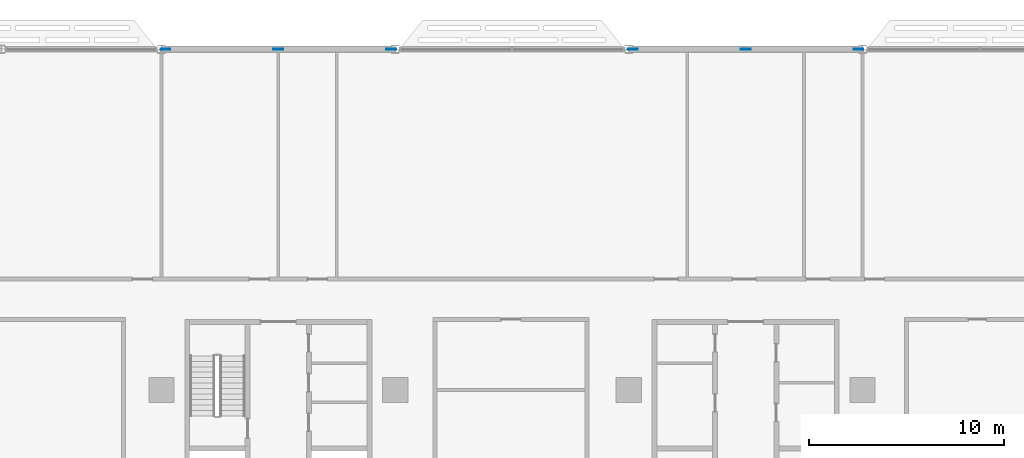
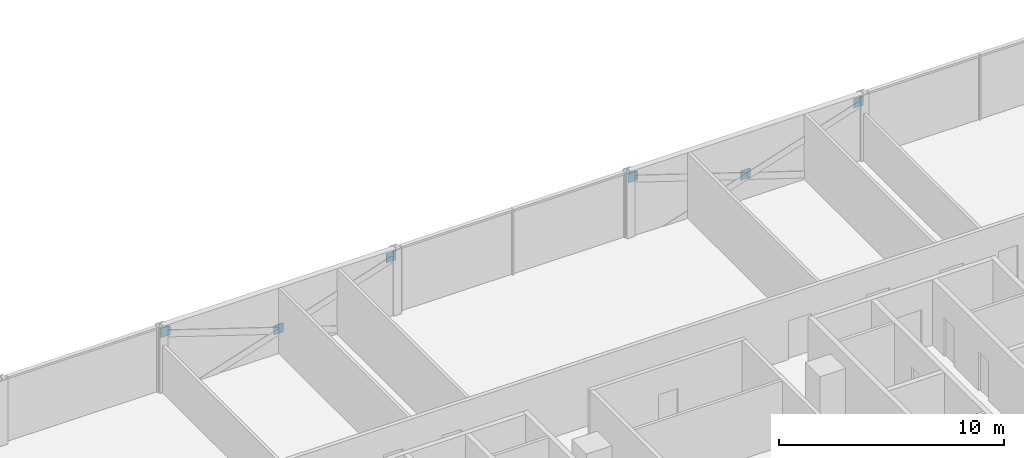
# One storey, part 22 of 29: 6 discrete accessories.
"""IFC4 building model written with IfcOpenShell, lengths in metres."""

from ifc_helpers import new_model, si_unit, direction, frame, origin, origin_2d, place, context, subcontext, project, spatial, rectangle, extrude, material, layer, layer_set, type_object, element, save


model = new_model("IFC4")

# Units and contexts
model_context = context("Model", 3, precision=1e-05, world=origin(), true_north=direction((0.0, 1.0)))
body_context = subcontext(model_context, "Body", "Model", "MODEL_VIEW")
ifc_project = project(units=[si_unit("LENGTHUNIT", "METRE"), si_unit("AREAUNIT", "SQUARE_METRE"), si_unit("VOLUMEUNIT", "CUBIC_METRE"), si_unit("PLANEANGLEUNIT", "RADIAN"), si_unit("MASSUNIT", "GRAM", prefix="KILO")], contexts=[model_context])

# Site, building, storey
site_placement = place(None, origin())
site = spatial("IfcSite", under=ifc_project, at=site_placement, CompositionType="ELEMENT")
building_placement = place(site_placement, origin())
building = spatial("IfcBuilding", under=site, at=building_placement, Name="Mahtab Terrace Research Tower", CompositionType="ELEMENT")
storey_placement = place(building_placement, frame((0.0, 0.0, 150.699951171875)))
storey = spatial("IfcBuildingStorey", under=building, at=storey_placement, Name="L35", CompositionType="ELEMENT", Elevation=150.699951171875)

# Discrete accessories
ifc_material = material(Name="Steel ASTM A992 Gr 50", Category="steel")
ifc_layer = layer(ifc_material, 0.030029296875)
ifc_layer_set = layer_set([ifc_layer], Name="Gusset plate 500x500x30")
discrete_accessory_type = type_object("IfcDiscreteAccessoryType", Name="Gusset plate 500x500x30", PredefinedType="USERDEFINED", material=ifc_layer_set)
for number, where, z_axis, x_axis, name in (
    (1, (-29.794189453125, 29.0, 2.85498046875), (0.0, 0.0, 1.0), (1.0, 0.0, 0.0), "Gusset plate"),
    (2, (-24.0, 29.0, 0.9765625), (0.0, 0.0, 1.0), (1.0, 0.0, 0.0), "Gusset plate"),
    (3, (-18.205810546875, 29.0, 2.85498046875), (0.0, 0.0, 1.0), (1.0, 0.0, 0.0), "Gusset plate"),
    (4, (-5.794189453125, 29.0, 2.85498046875), (0.0, 0.0, 1.0), (1.0, 0.0, 0.0), "Gusset plate"),
    (5, (0.0, 29.0, 0.9765625), (0.0, 0.0, 1.0), (1.0, 0.0, 0.0), "Gusset plate"),
    (6, (5.794189453125, 29.0, 2.85498046875), (0.0, 0.0, 1.0), (1.0, 0.0, 0.0), "Gusset plate"),
):
    element("IfcDiscreteAccessory", number, at=place(storey_placement, frame(where, z_axis=z_axis, x_axis=x_axis)), inside=storey, type_object=discrete_accessory_type, Name=name, ObjectType="GUSSET PLATE", PredefinedType="USERDEFINED", context=body_context, shape_type="SweptSolid", body=[
        extrude(rectangle(XDim=0.5, YDim=0.030029296875, at=origin_2d()), origin(), (0.0, 0.0, 1.0), 0.5),
    ])

save(model, "model.ifc")
